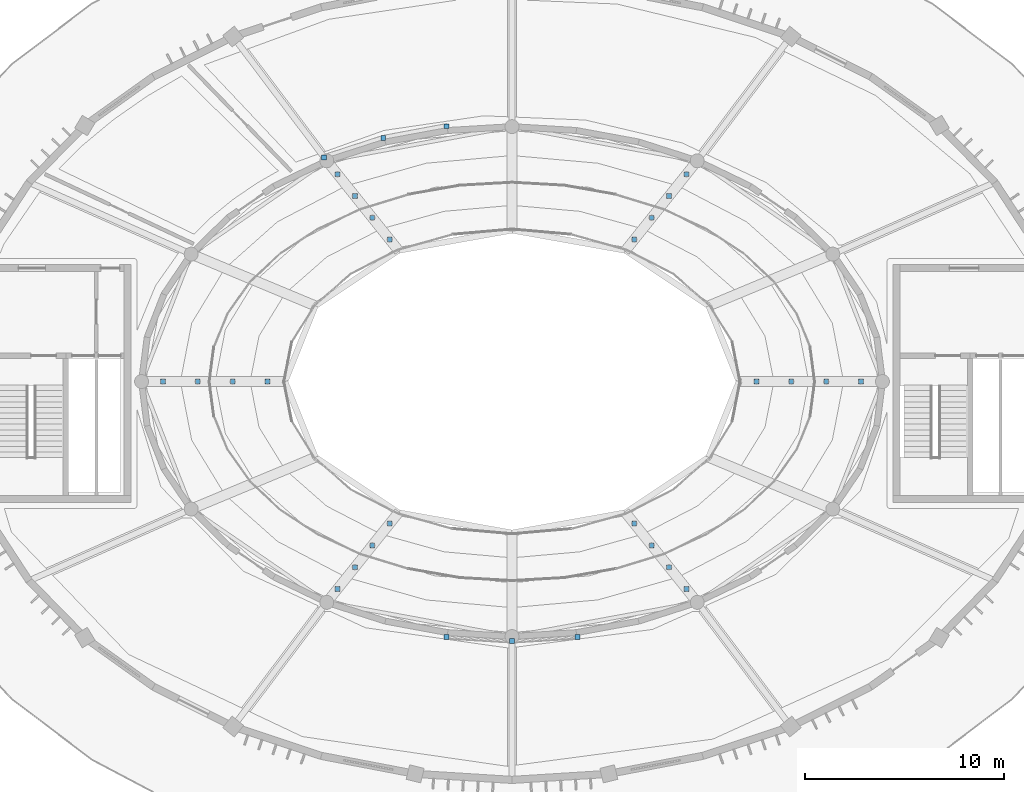
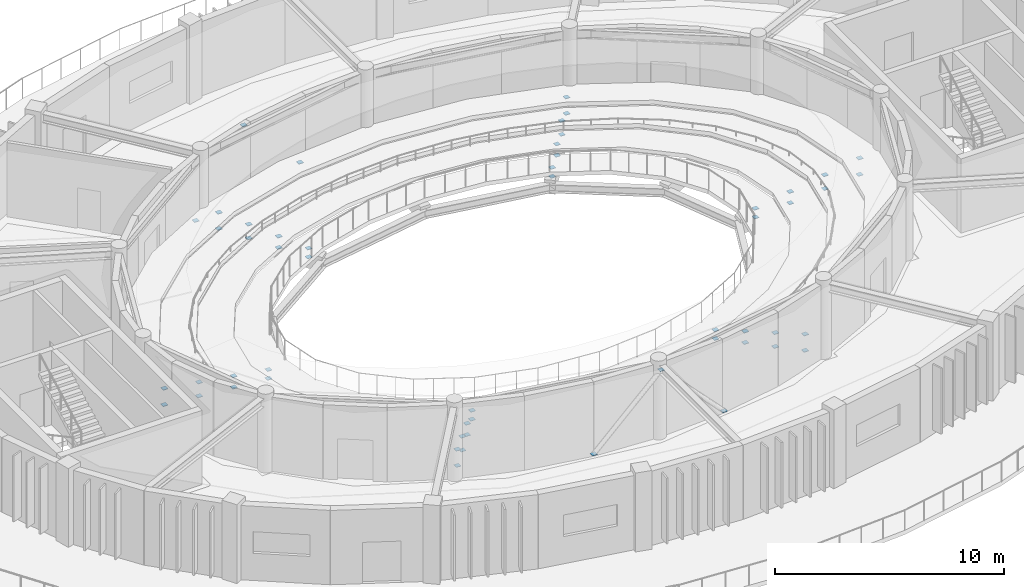
# One storey, part 52 of 63: 54 discrete accessories.
"""IFC4 building model written with IfcOpenShell, lengths in metres."""

from ifc_helpers import new_model, si_unit, direction, frame, origin, origin_2d, place, context, subcontext, project, spatial, rectangle, extrude, material, type_object, element, save


model = new_model("IFC4")

# Units and contexts
model_context = context("Model", 3, precision=1e-05, world=origin(), true_north=direction((0.0, 1.0)))
body_context = subcontext(model_context, "Body", "Model", "MODEL_VIEW")
ifc_project = project(units=[si_unit("LENGTHUNIT", "METRE"), si_unit("AREAUNIT", "SQUARE_METRE"), si_unit("VOLUMEUNIT", "CUBIC_METRE"), si_unit("PLANEANGLEUNIT", "RADIAN"), si_unit("MASSUNIT", "GRAM", prefix="KILO")], contexts=[model_context])

# Site, building, storey
site_placement = place(None, origin())
site = spatial("IfcSite", under=ifc_project, at=site_placement, CompositionType="ELEMENT")
building_placement = place(site_placement, origin())
building = spatial("IfcBuilding", under=site, at=building_placement, Name="Tarnveldt Headland Concert Hall", CompositionType="ELEMENT")
storey_placement = place(building_placement, frame((0.0, 0.0, 14.39990234375)))
storey = spatial("IfcBuildingStorey", under=building, at=storey_placement, Name="L03", CompositionType="ELEMENT", Elevation=14.39990234375)

# Discrete accessories
ifc_material = material(Name="Steel S355", Category="steel")
discrete_accessory_type = type_object("IfcDiscreteAccessoryType", Name="DA-GUS25", PredefinedType="BRACKET", material=ifc_material)
for number, where, z_axis, x_axis, name in (
    (1, (95.77490234375, 54.5, -0.431396484375), (0.0, 0.0, 1.0), (1.0, 0.0, 0.0), "Bolted raker stool shoe connection L03-1-1 lower"),
    (2, (95.77490234375, 54.5, 0.0400390625), (0.0, 0.0, 1.0), (1.0, 0.0, 0.0), "Bolted raker stool shoe connection L03-1-1 upper"),
    (3, (89.637451171875, 61.629150390625, -0.431396484375), (0.0, 0.0, 1.0), (1.0, 0.0, 0.0), "Bolted raker stool shoe connection L03-1-3 lower"),
    (4, (89.637451171875, 61.629150390625, 0.0400390625), (0.0, 0.0, 1.0), (1.0, 0.0, 0.0), "Bolted raker stool shoe connection L03-1-3 upper"),
    (5, (77.362548828125, 61.629150390625, -0.431396484375), (0.0, 0.0, 1.0), (1.0, 0.0, 0.0), "Bolted raker stool shoe connection L03-1-5 lower"),
    (6, (77.362548828125, 61.629150390625, 0.0400390625), (0.0, 0.0, 1.0), (1.0, 0.0, 0.0), "Bolted raker stool shoe connection L03-1-5 upper"),
    (7, (71.22509765625, 54.5, -0.431396484375), (0.0, 0.0, 1.0), (1.0, 0.0, 0.0), "Bolted raker stool shoe connection L03-1-7 lower"),
    (8, (71.22509765625, 54.5, 0.0400390625), (0.0, 0.0, 1.0), (1.0, 0.0, 0.0), "Bolted raker stool shoe connection L03-1-7 upper"),
    (9, (77.362548828125, 47.370849609375, -0.431396484375), (0.0, 0.0, 1.0), (1.0, 0.0, 0.0), "Bolted raker stool shoe connection L03-1-9 lower"),
    (10, (77.362548828125, 47.370849609375, 0.0400390625), (0.0, 0.0, 1.0), (1.0, 0.0, 0.0), "Bolted raker stool shoe connection L03-1-9 upper"),
    (11, (89.637451171875, 47.370849609375, -0.431396484375), (0.0, 0.0, 1.0), (1.0, 0.0, 0.0), "Bolted raker stool shoe connection L03-1-11 lower"),
    (12, (89.637451171875, 47.370849609375, 0.0400390625), (0.0, 0.0, 1.0), (1.0, 0.0, 0.0), "Bolted raker stool shoe connection L03-1-11 upper"),
    (13, (97.52490234375, 54.5, -0.2841796875), (0.0, 0.0, 1.0), (1.0, 0.0, 0.0), "Bolted raker stool shoe connection L03-2-1 lower"),
    (14, (97.52490234375, 54.5, 0.320068359375), (0.0, 0.0, 1.0), (1.0, 0.0, 0.0), "Bolted raker stool shoe connection L03-2-1 upper"),
    (15, (90.512451171875, 62.7236328125, -0.2841796875), (0.0, 0.0, 1.0), (1.0, 0.0, 0.0), "Bolted raker stool shoe connection L03-2-3 lower"),
    (16, (90.512451171875, 62.7236328125, 0.320068359375), (0.0, 0.0, 1.0), (1.0, 0.0, 0.0), "Bolted raker stool shoe connection L03-2-3 upper"),
    (17, (76.487548828125, 62.7236328125, -0.2841796875), (0.0, 0.0, 1.0), (1.0, 0.0, 0.0), "Bolted raker stool shoe connection L03-2-5 lower"),
    (18, (76.487548828125, 62.7236328125, 0.320068359375), (0.0, 0.0, 1.0), (1.0, 0.0, 0.0), "Bolted raker stool shoe connection L03-2-5 upper"),
    (19, (69.47509765625, 54.5, -0.2841796875), (0.0, 0.0, 1.0), (1.0, 0.0, 0.0), "Bolted raker stool shoe connection L03-2-7 lower"),
    (20, (69.47509765625, 54.5, 0.320068359375), (0.0, 0.0, 1.0), (1.0, 0.0, 0.0), "Bolted raker stool shoe connection L03-2-7 upper"),
    (21, (76.487548828125, 46.2763671875, -0.2841796875), (0.0, 0.0, 1.0), (1.0, 0.0, 0.0), "Bolted raker stool shoe connection L03-2-9 lower"),
    (22, (76.487548828125, 46.2763671875, 0.320068359375), (0.0, 0.0, 1.0), (1.0, 0.0, 0.0), "Bolted raker stool shoe connection L03-2-9 upper"),
    (23, (90.512451171875, 46.2763671875, -0.2841796875), (0.0, 0.0, 1.0), (1.0, 0.0, 0.0), "Bolted raker stool shoe connection L03-2-11 lower"),
    (24, (90.512451171875, 46.2763671875, 0.320068359375), (0.0, 0.0, 1.0), (1.0, 0.0, 0.0), "Bolted raker stool shoe connection L03-2-11 upper"),
    (25, (99.27490234375, 54.5, -0.13720703125), (0.0, 0.0, 1.0), (1.0, 0.0, 0.0), "Bolted raker stool shoe connection L03-3-1 lower"),
    (26, (99.27490234375, 54.5, 0.60009765625), (0.0, 0.0, 1.0), (1.0, 0.0, 0.0), "Bolted raker stool shoe connection L03-3-1 upper"),
    (27, (91.387451171875, 63.818115234375, -0.13720703125), (0.0, 0.0, 1.0), (1.0, 0.0, 0.0), "Bolted raker stool shoe connection L03-3-3 lower"),
    (28, (91.387451171875, 63.818115234375, 0.60009765625), (0.0, 0.0, 1.0), (1.0, 0.0, 0.0), "Bolted raker stool shoe connection L03-3-3 upper"),
    (29, (75.612548828125, 63.818115234375, -0.13720703125), (0.0, 0.0, 1.0), (1.0, 0.0, 0.0), "Bolted raker stool shoe connection L03-3-5 lower"),
    (30, (75.612548828125, 63.818115234375, 0.60009765625), (0.0, 0.0, 1.0), (1.0, 0.0, 0.0), "Bolted raker stool shoe connection L03-3-5 upper"),
    (31, (67.72509765625, 54.5, -0.13720703125), (0.0, 0.0, 1.0), (1.0, 0.0, 0.0), "Bolted raker stool shoe connection L03-3-7 lower"),
    (32, (67.72509765625, 54.5, 0.60009765625), (0.0, 0.0, 1.0), (1.0, 0.0, 0.0), "Bolted raker stool shoe connection L03-3-7 upper"),
    (33, (75.612548828125, 45.181884765625, -0.13720703125), (0.0, 0.0, 1.0), (1.0, 0.0, 0.0), "Bolted raker stool shoe connection L03-3-9 lower"),
    (34, (75.612548828125, 45.181884765625, 0.60009765625), (0.0, 0.0, 1.0), (1.0, 0.0, 0.0), "Bolted raker stool shoe connection L03-3-9 upper"),
    (35, (91.387451171875, 45.181884765625, -0.13720703125), (0.0, 0.0, 1.0), (1.0, 0.0, 0.0), "Bolted raker stool shoe connection L03-3-11 lower"),
    (36, (91.387451171875, 45.181884765625, 0.60009765625), (0.0, 0.0, 1.0), (1.0, 0.0, 0.0), "Bolted raker stool shoe connection L03-3-11 upper"),
    (37, (101.02490234375, 54.5, 0.009765625), (0.0, 0.0, 1.0), (1.0, 0.0, 0.0), "Bolted raker stool shoe connection L03-4-1 lower"),
    (38, (101.02490234375, 54.5, 0.880126953125), (0.0, 0.0, 1.0), (1.0, 0.0, 0.0), "Bolted raker stool shoe connection L03-4-1 upper"),
    (39, (92.262451171875, 64.91259765625, 0.009765625), (0.0, 0.0, 1.0), (1.0, 0.0, 0.0), "Bolted raker stool shoe connection L03-4-3 lower"),
    (40, (92.262451171875, 64.91259765625, 0.880126953125), (0.0, 0.0, 1.0), (1.0, 0.0, 0.0), "Bolted raker stool shoe connection L03-4-3 upper"),
    (41, (74.737548828125, 64.91259765625, 0.009765625), (0.0, 0.0, 1.0), (1.0, 0.0, 0.0), "Bolted raker stool shoe connection L03-4-5 lower"),
    (42, (74.737548828125, 64.91259765625, 0.880126953125), (0.0, 0.0, 1.0), (1.0, 0.0, 0.0), "Bolted raker stool shoe connection L03-4-5 upper"),
    (43, (65.97509765625, 54.5, 0.009765625), (0.0, 0.0, 1.0), (1.0, 0.0, 0.0), "Bolted raker stool shoe connection L03-4-7 lower"),
    (44, (65.97509765625, 54.5, 0.880126953125), (0.0, 0.0, 1.0), (1.0, 0.0, 0.0), "Bolted raker stool shoe connection L03-4-7 upper"),
    (45, (74.737548828125, 44.08740234375, 0.009765625), (0.0, 0.0, 1.0), (1.0, 0.0, 0.0), "Bolted raker stool shoe connection L03-4-9 lower"),
    (46, (74.737548828125, 44.08740234375, 0.880126953125), (0.0, 0.0, 1.0), (1.0, 0.0, 0.0), "Bolted raker stool shoe connection L03-4-9 upper"),
    (47, (92.262451171875, 44.08740234375, 0.009765625), (0.0, 0.0, 1.0), (1.0, 0.0, 0.0), "Bolted raker stool shoe connection L03-4-11 lower"),
    (48, (92.262451171875, 44.08740234375, 0.880126953125), (0.0, 0.0, 1.0), (1.0, 0.0, 0.0), "Bolted raker stool shoe connection L03-4-11 upper"),
    (49, (80.215576171875, 67.318603515625, 0.167724609375), (0.0, 0.0, 1.0), (1.0, 0.0, 0.0), "Bolted brace gusset connection 36"),
    (50, (74.05859375, 65.753662109375, 0.167724609375), (0.0, 0.0, 1.0), (1.0, 0.0, 0.0), "Bolted brace gusset connection 37"),
    (51, (77.035400390625, 66.72265625, 3.627685546875), (0.0, 0.0, 1.0), (1.0, 0.0, 0.0), "Bolted brace gusset connection 38"),
    (52, (80.215576171875, 41.681396484375, 0.167724609375), (0.0, 0.0, 1.0), (1.0, 0.0, 0.0), "Bolted brace gusset connection 39"),
    (53, (86.784423828125, 41.681396484375, 0.167724609375), (0.0, 0.0, 1.0), (1.0, 0.0, 0.0), "Bolted brace gusset connection 40"),
    (54, (83.5, 41.47998046875, 3.627685546875), (0.0, 0.0, 1.0), (1.0, 0.0, 0.0), "Bolted brace gusset connection 41"),
):
    element("IfcDiscreteAccessory", number, at=place(storey_placement, frame(where, z_axis=z_axis, x_axis=x_axis)), inside=storey, type_object=discrete_accessory_type, Name=name, PredefinedType="BRACKET", context=body_context, shape_type="SweptSolid", body=[
        extrude(rectangle(XDim=0.239990234375, YDim=0.239990234375, at=origin_2d()), origin(), (0.0, 0.0, 1.0), 0.02490234375),
    ])

save(model, "model.ifc")
